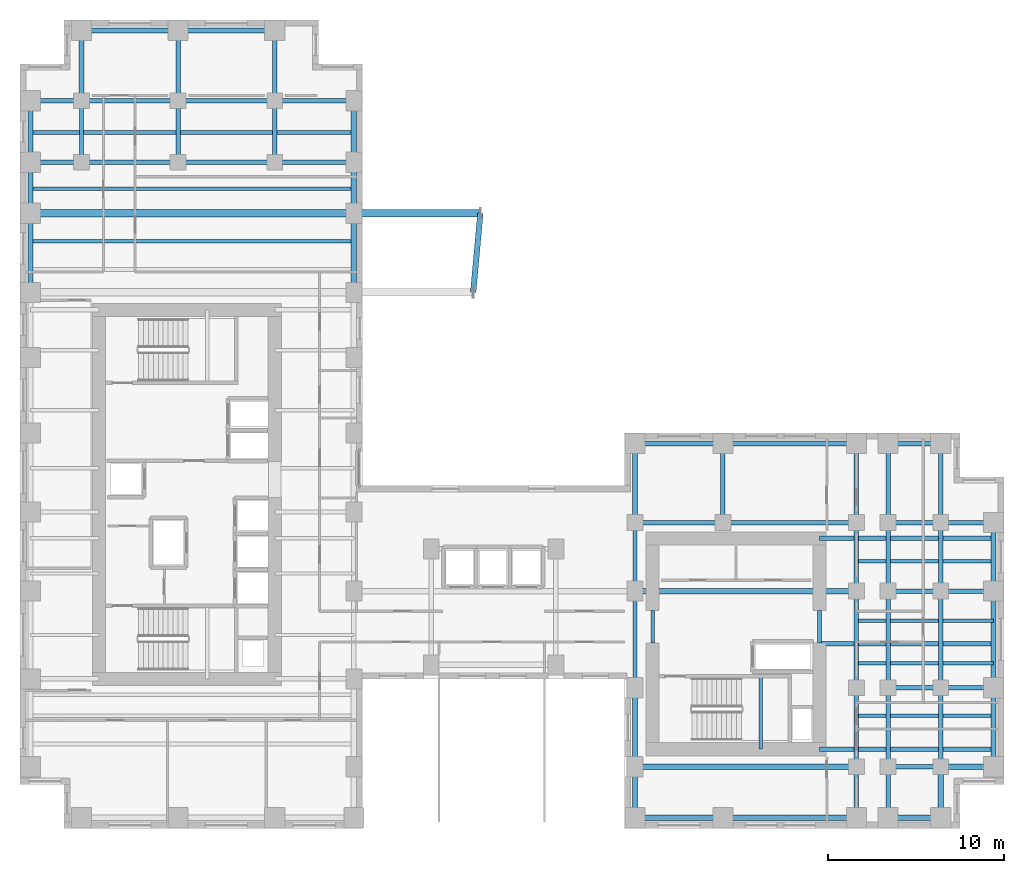
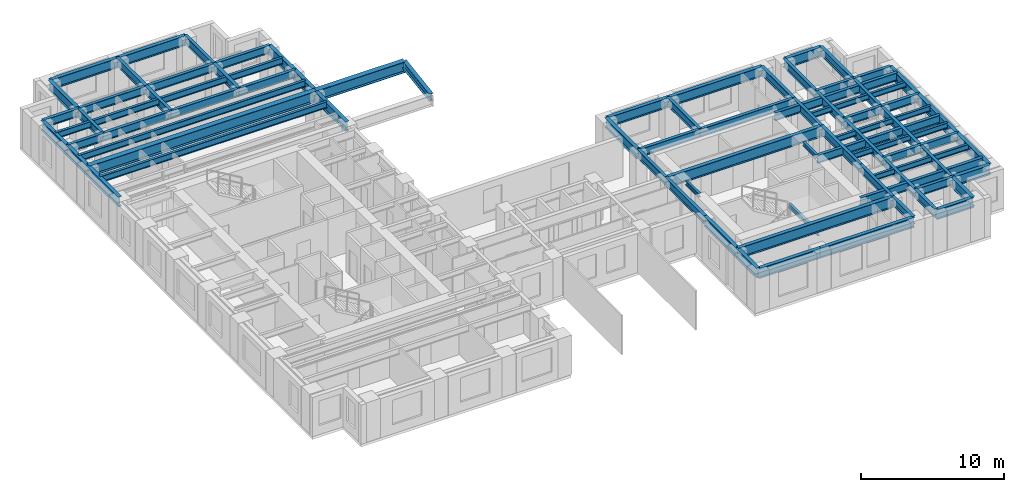
# One storey, part 3 of 13: 80 beams.
"""IFC4 building model written with IfcOpenShell, lengths in metres."""

from ifc_helpers import new_model, si_unit, direction, frame, origin, origin_2d, place, context, subcontext, project, spatial, i_section, extrude, source, transform, mapped, material, material_profile, profile_set, type_object, element, save


model = new_model("IFC4")

# Units and contexts
model_context = context("Model", 3, precision=1e-05, world=origin(), true_north=direction((0.0, 1.0)))
body_context = subcontext(model_context, "Body", "Model", "MODEL_VIEW")
ifc_project = project(units=[si_unit("LENGTHUNIT", "METRE"), si_unit("AREAUNIT", "SQUARE_METRE"), si_unit("VOLUMEUNIT", "CUBIC_METRE"), si_unit("PLANEANGLEUNIT", "RADIAN"), si_unit("MASSUNIT", "GRAM", prefix="KILO")], contexts=[model_context])

# Site, building, storey
site_placement = place(None, origin())
site = spatial("IfcSite", under=ifc_project, at=site_placement, CompositionType="ELEMENT")
building_placement = place(site_placement, origin())
building = spatial("IfcBuilding", under=site, at=building_placement, Name="Kharzan Plaza Tower", CompositionType="ELEMENT")
storey_placement = place(building_placement, frame((0.0, 0.0, 95.39990234375)))
storey = spatial("IfcBuildingStorey", under=building, at=storey_placement, Name="L25", CompositionType="ELEMENT", Elevation=95.39990234375)

# Beams
ifc_material = material(Name="Steel S355", Category="steel")
ifc_material_profile_1 = material_profile(ifc_material, i_section(OverallWidth=0.205078125, OverallDepth=0.35400390625, WebThickness=0.009521484375, FlangeThickness=0.016845703125, at=origin_2d()), Name="W360x79")
ifc_profile_set_1 = profile_set([ifc_material_profile_1], Name="Steel S355")
beam_type_1 = type_object("IfcBeamType", Name="BM-LNT360", PredefinedType="LINTEL", material=ifc_profile_set_1)
shared_shape_1 = source(origin(), body_context, "Body", "SweptSolid", [
    extrude(i_section(OverallWidth=0.205078125, OverallDepth=0.35400390625, WebThickness=0.009521484375, FlangeThickness=0.016845703125, at=origin_2d()), origin(), (0.0, 0.0, 1.0), 1.849853515625),
])
for number, where, z_axis, x_axis, name in (
    (1, (45.5, 10.550048828125, 3.203125), (0.0, 1.0, 0.0), (-1.0, 0.0, 0.0), "L25 CORE-B coupling lintel LN1-WE"),
    (2, (36.0, 10.550048828125, 3.203125), (0.0, 1.0, 0.0), (-1.0, 0.0, 0.0), "L25 CORE-B coupling lintel LN1-WW"),
):
    element("IfcBeam", number, at=place(storey_placement, frame(where, z_axis=z_axis, x_axis=x_axis)), inside=storey, type_object=beam_type_1, Name=name, PredefinedType="LINTEL", context=body_context, shape_type="MappedRepresentation", body=[
        mapped(shared_shape_1, transform((0.0, 0.0, 0.0), x_axis=(1.0, 0.0, 0.0), y_axis=(0.0, 1.0, 0.0), z_axis=(0.0, 0.0, 1.0))),
    ])
shared_shape_2 = source(origin(), body_context, "Body", "SweptSolid", [
    extrude(i_section(OverallWidth=0.205078125, OverallDepth=0.35400390625, WebThickness=0.009521484375, FlangeThickness=0.016845703125, at=origin_2d()), origin(), (0.0, 0.0, 1.0), 4.155029296875),
])
beam_1_placement = place(storey_placement, frame((42.14990234375, 4.5, 1.423095703125), z_axis=(0.0, 1.0, 0.0), x_axis=(-1.0, 0.0, 0.0)))
element("IfcBeam", 3, at=beam_1_placement, inside=storey, type_object=beam_type_1, Name="L25 Stair ST-3 Half-Landing Beam", PredefinedType="LINTEL", context=body_context, shape_type="MappedRepresentation", body=[
    mapped(shared_shape_2, transform((0.0, 0.0, 0.0), x_axis=(1.0, 0.0, 0.0), y_axis=(0.0, 1.0, 0.0), z_axis=(0.0, 0.0, 1.0))),
])
ifc_material_profile_2 = material_profile(ifc_material, i_section(OverallWidth=0.304931640625, OverallDepth=0.9189453125, WebThickness=0.017333984375, FlangeThickness=0.02783203125, at=origin_2d()), Name="W920x253")
ifc_profile_set_2 = profile_set([ifc_material_profile_2], Name="Steel S355")
beam_type_2 = type_object("IfcBeamType", Name="BM-FG920B", PredefinedType="BEAM", material=ifc_profile_set_2)
shared_shape_3 = source(origin(), body_context, "Body", "SweptSolid", [
    extrude(i_section(OverallWidth=0.304931640625, OverallDepth=0.9189453125, WebThickness=0.017333984375, FlangeThickness=0.02783203125, at=origin_2d()), origin(), (0.0, 0.0, 1.0), 12.60009765625),
])
for number, where, z_axis, x_axis, name in (
    (4, (35.0, 3.5, 2.920654296875), (1.0, 0.0, 0.0), (0.0, 1.0, 0.0), "L25 Primary Floor Girder"),
    (5, (35.0, 13.5, 2.920654296875), (1.0, 0.0, 0.0), (0.0, 1.0, 0.0), "L25 Primary Floor Girder"),
):
    element("IfcBeam", number, at=place(storey_placement, frame(where, z_axis=z_axis, x_axis=x_axis)), inside=storey, type_object=beam_type_2, Name=name, PredefinedType="BEAM", context=body_context, shape_type="MappedRepresentation", body=[
        mapped(shared_shape_3, transform((0.0, 0.0, 0.0), x_axis=(1.0, 0.0, 0.0), y_axis=(0.0, 1.0, 0.0), z_axis=(0.0, 0.0, 1.0))),
    ])
ifc_material_profile_3 = material_profile(ifc_material, i_section(OverallWidth=0.2099609375, OverallDepth=0.537109375, WebThickness=0.010986328125, FlangeThickness=0.017333984375, at=origin_2d()), Name="W530x101")
ifc_profile_set_3 = profile_set([ifc_material_profile_3], Name="Steel S355")
beam_type_3 = type_object("IfcBeamType", Name="BM-JST530B", PredefinedType="JOIST", material=ifc_profile_set_3)
shared_shape_4 = source(origin(), body_context, "Body", "SweptSolid", [
    extrude(i_section(OverallWidth=0.2099609375, OverallDepth=0.537109375, WebThickness=0.010986328125, FlangeThickness=0.017333984375, at=origin_2d()), origin(), (0.0, 0.0, 1.0), 18.39990234375),
])
for number, where, z_axis, x_axis, name in (
    (6, (0.60009765625, 33.39990234375, 3.111572265625), (1.0, 0.0, 0.0), (0.0, 1.0, 0.0), "L25 Wing A Composite Joist 05"),
    (7, (0.60009765625, 36.39990234375, 3.111572265625), (1.0, 0.0, 0.0), (0.0, 1.0, 0.0), "L25 Wing A Composite Joist 06"),
    (8, (0.60009765625, 39.60009765625, 3.111572265625), (1.0, 0.0, 0.0), (0.0, 1.0, 0.0), "L25 Wing A Composite Joist 07"),
):
    element("IfcBeam", number, at=place(storey_placement, frame(where, z_axis=z_axis, x_axis=x_axis)), inside=storey, type_object=beam_type_3, Name=name, PredefinedType="JOIST", context=body_context, shape_type="MappedRepresentation", body=[
        mapped(shared_shape_4, transform((0.0, 0.0, 0.0), x_axis=(1.0, 0.0, 0.0), y_axis=(0.0, 1.0, 0.0), z_axis=(0.0, 0.0, 1.0))),
    ])
ifc_material_profile_4 = material_profile(ifc_material, i_section(OverallWidth=0.41796875, OverallDepth=0.93701171875, WebThickness=0.019287109375, FlangeThickness=0.031982421875, at=origin_2d()), Name="W920x342")
ifc_profile_set_4 = profile_set([ifc_material_profile_4], Name="Steel S355")
beam_type_4 = type_object("IfcBeamType", Name="BM-ZTB920", PredefinedType="BEAM", material=ifc_profile_set_4)
shared_shape_5 = source(origin(), body_context, "Body", "SweptSolid", [
    extrude(i_section(OverallWidth=0.41796875, OverallDepth=0.93701171875, WebThickness=0.019287109375, FlangeThickness=0.031982421875, at=origin_2d()), origin(), (0.0, 0.0, 1.0), 18.39990234375),
])
beam_2_placement = place(storey_placement, frame((0.60009765625, 35.0, 2.91162109375), z_axis=(1.0, 0.0, 0.0), x_axis=(0.0, 1.0, 0.0)))
element("IfcBeam", 9, at=beam_2_placement, inside=storey, type_object=beam_type_4, Name="L25 Sky-Terrace Back-Span Girder ZTB1 (L26 G2)", PredefinedType="BEAM", context=body_context, shape_type="MappedRepresentation", body=[
    mapped(shared_shape_5, transform((0.0, 0.0, 0.0), x_axis=(1.0, 0.0, 0.0), y_axis=(0.0, 1.0, 0.0), z_axis=(0.0, 0.0, 1.0))),
])
ifc_material_profile_5 = material_profile(ifc_material, i_section(OverallWidth=0.41796875, OverallDepth=0.93701171875, WebThickness=0.019287109375, FlangeThickness=0.031982421875, at=origin_2d()), Name="W920x342")
ifc_profile_set_5 = profile_set([ifc_material_profile_5], Name="Steel S355")
beam_type_5 = type_object("IfcBeamType", Name="BM-ZTG920", PredefinedType="BEAM", material=ifc_profile_set_5)
shared_shape_6 = source(origin(), body_context, "Body", "SweptSolid", [
    extrude(i_section(OverallWidth=0.41796875, OverallDepth=0.93701171875, WebThickness=0.019287109375, FlangeThickness=0.031982421875, at=origin_2d()), origin(), (0.0, 0.0, 1.0), 7.199951171875),
])
beam_3_placement = place(storey_placement, frame((19.0, 35.0, 2.91162109375), z_axis=(1.0, 0.0, 0.0), x_axis=(0.0, 1.0, 0.0)))
element("IfcBeam", 10, at=beam_3_placement, inside=storey, type_object=beam_type_5, Name="L25 Sky-Terrace Cantilever Girder ZTG1 (L26 G2)", PredefinedType="BEAM", context=body_context, shape_type="MappedRepresentation", body=[
    mapped(shared_shape_6, transform((0.0, 0.0, 0.0), x_axis=(1.0, 0.0, 0.0), y_axis=(0.0, 1.0, 0.0), z_axis=(0.0, 0.0, 1.0))),
])
ifc_material_profile_6 = material_profile(ifc_material, i_section(OverallWidth=0.324951171875, OverallDepth=0.615966796875, WebThickness=0.013916015625, FlangeThickness=0.021484375, at=origin_2d()), Name="W610x174")
ifc_profile_set_6 = profile_set([ifc_material_profile_6], Name="Steel S355")
beam_type_6 = type_object("IfcBeamType", Name="BM-ZTT610", PredefinedType="BEAM", material=ifc_profile_set_6)
shared_shape_7 = source(origin(), body_context, "Body", "SweptSolid", [
    extrude(i_section(OverallWidth=0.324951171875, OverallDepth=0.615966796875, WebThickness=0.013916015625, FlangeThickness=0.021484375, at=origin_2d()), origin(), (0.0, 0.0, 1.0), 4.5185546875),
])
beam_4_placement = place(storey_placement, frame((25.7900390625, 30.5, 3.072021484375), z_axis=(0.09071599143, 0.995876804077, 0.0), x_axis=(-0.995876804077, 0.09071599143, 0.0)))
element("IfcBeam", 11, at=beam_4_placement, inside=storey, type_object=beam_type_6, Name="L25 Sky-Terrace Edge Trimmer Beam ZTT1 (L26)", PredefinedType="BEAM", context=body_context, shape_type="MappedRepresentation", body=[
    mapped(shared_shape_7, transform((0.0, 0.0, 0.0), x_axis=(1.0, 0.0, 0.0), y_axis=(0.0, 1.0, 0.0), z_axis=(0.0, 0.0, 1.0))),
])
ifc_material_profile_7 = material_profile(ifc_material, i_section(OverallWidth=0.25390625, OverallDepth=0.68798828125, WebThickness=0.01318359375, FlangeThickness=0.02099609375, at=origin_2d()), Name="W690x152")
ifc_profile_set_7 = profile_set([ifc_material_profile_7], Name="Steel S355")
beam_type_7 = type_object("IfcBeamType", Name="BM-FG690B", PredefinedType="BEAM", material=ifc_profile_set_7)
shared_shape_8 = source(origin(), body_context, "Body", "SweptSolid", [
    extrude(i_section(OverallWidth=0.25390625, OverallDepth=0.68798828125, WebThickness=0.01318359375, FlangeThickness=0.02099609375, at=origin_2d()), origin(), (0.0, 0.0, 1.0), 4.5),
])
for number, where, z_axis, x_axis, name in (
    (12, (40.0, 17.39990234375, 3.0361328125), (0.0, 1.0, 0.0), (-1.0, 0.0, 0.0), "L25 Interior Frame Girder"),
    (13, (47.60009765625, 3.5, 3.0361328125), (0.0, 1.0, 0.0), (-1.0, 0.0, 0.0), "L25 Interior Frame Girder"),
    (14, (47.60009765625, 17.39990234375, 3.0361328125), (0.0, 1.0, 0.0), (-1.0, 0.0, 0.0), "L25 Interior Frame Girder"),
    (15, (49.39990234375, 3.5, 3.0361328125), (0.0, 1.0, 0.0), (-1.0, 0.0, 0.0), "L25 Interior Frame Girder"),
    (16, (49.39990234375, 17.39990234375, 3.0361328125), (0.0, 1.0, 0.0), (-1.0, 0.0, 0.0), "L25 Interior Frame Girder"),
    (17, (52.39990234375, 3.5, 3.0361328125), (0.0, 1.0, 0.0), (-1.0, 0.0, 0.0), "L25 Interior Frame Girder"),
    (18, (52.39990234375, 17.39990234375, 3.0361328125), (0.0, 1.0, 0.0), (-1.0, 0.0, 0.0), "L25 Interior Frame Girder"),
    (19, (14.5, 37.89990234375, 3.0361328125), (1.0, 0.0, 0.0), (0.0, 1.0, 0.0), "L25 Primary Floor Girder"),
    (20, (14.5, 41.39990234375, 3.0361328125), (1.0, 0.0, 0.0), (0.0, 1.0, 0.0), "L25 Primary Floor Girder"),
):
    element("IfcBeam", number, at=place(storey_placement, frame(where, z_axis=z_axis, x_axis=x_axis)), inside=storey, type_object=beam_type_7, Name=name, PredefinedType="BEAM", context=body_context, shape_type="MappedRepresentation", body=[
        mapped(shared_shape_8, transform((0.0, 0.0, 0.0), x_axis=(1.0, 0.0, 0.0), y_axis=(0.0, 1.0, 0.0), z_axis=(0.0, 0.0, 1.0))),
    ])
shared_shape_9 = source(origin(), body_context, "Body", "SweptSolid", [
    extrude(i_section(OverallWidth=0.25390625, OverallDepth=0.68798828125, WebThickness=0.01318359375, FlangeThickness=0.02099609375, at=origin_2d()), origin(), (0.0, 0.0, 1.0), 3.89990234375),
])
for number, where, z_axis, x_axis, name in (
    (21, (35.0, 13.5, 3.0361328125), (0.0, 1.0, 0.0), (-1.0, 0.0, 0.0), "L25 Interior Frame Girder"),
    (22, (47.60009765625, 13.5, 3.0361328125), (0.0, 1.0, 0.0), (-1.0, 0.0, 0.0), "L25 Interior Frame Girder"),
    (23, (49.39990234375, 13.5, 3.0361328125), (0.0, 1.0, 0.0), (-1.0, 0.0, 0.0), "L25 Interior Frame Girder"),
    (24, (52.39990234375, 13.5, 3.0361328125), (0.0, 1.0, 0.0), (-1.0, 0.0, 0.0), "L25 Interior Frame Girder"),
):
    element("IfcBeam", number, at=place(storey_placement, frame(where, z_axis=z_axis, x_axis=x_axis)), inside=storey, type_object=beam_type_7, Name=name, PredefinedType="BEAM", context=body_context, shape_type="MappedRepresentation", body=[
        mapped(shared_shape_9, transform((0.0, 0.0, 0.0), x_axis=(1.0, 0.0, 0.0), y_axis=(0.0, 1.0, 0.0), z_axis=(0.0, 0.0, 1.0))),
    ])
shared_shape_10 = source(origin(), body_context, "Body", "SweptSolid", [
    extrude(i_section(OverallWidth=0.25390625, OverallDepth=0.68798828125, WebThickness=0.01318359375, FlangeThickness=0.02099609375, at=origin_2d()), origin(), (0.0, 0.0, 1.0), 9.89990234375),
])
for number, where, z_axis, x_axis, name in (
    (25, (45.5, 4.5, 3.0361328125), (1.0, 0.0, 0.0), (0.0, 1.0, 0.0), "L25 Core-B East Floor Girder 1"),
    (26, (45.5, 10.5, 3.0361328125), (1.0, 0.0, 0.0), (0.0, 1.0, 0.0), "L25 Core-B East Floor Girder 2"),
    (27, (45.5, 16.5, 3.0361328125), (1.0, 0.0, 0.0), (0.0, 1.0, 0.0), "L25 Core-B East Floor Girder 3"),
):
    element("IfcBeam", number, at=place(storey_placement, frame(where, z_axis=z_axis, x_axis=x_axis)), inside=storey, type_object=beam_type_7, Name=name, PredefinedType="BEAM", context=body_context, shape_type="MappedRepresentation", body=[
        mapped(shared_shape_10, transform((0.0, 0.0, 0.0), x_axis=(1.0, 0.0, 0.0), y_axis=(0.0, 1.0, 0.0), z_axis=(0.0, 0.0, 1.0))),
    ])
shared_shape_11 = source(origin(), body_context, "Body", "SweptSolid", [
    extrude(i_section(OverallWidth=0.25390625, OverallDepth=0.68798828125, WebThickness=0.01318359375, FlangeThickness=0.02099609375, at=origin_2d()), origin(), (0.0, 0.0, 1.0), 3.5),
])
for number, where, z_axis, x_axis, name in (
    (28, (3.5, 37.89990234375, 3.0361328125), (0.0, 1.0, 0.0), (-1.0, 0.0, 0.0), "L25 Interior Frame Girder"),
    (29, (9.0, 37.89990234375, 3.0361328125), (0.0, 1.0, 0.0), (-1.0, 0.0, 0.0), "L25 Interior Frame Girder"),
    (30, (14.5, 37.89990234375, 3.0361328125), (0.0, 1.0, 0.0), (-1.0, 0.0, 0.0), "L25 Interior Frame Girder"),
):
    element("IfcBeam", number, at=place(storey_placement, frame(where, z_axis=z_axis, x_axis=x_axis)), inside=storey, type_object=beam_type_7, Name=name, PredefinedType="BEAM", context=body_context, shape_type="MappedRepresentation", body=[
        mapped(shared_shape_11, transform((0.0, 0.0, 0.0), x_axis=(1.0, 0.0, 0.0), y_axis=(0.0, 1.0, 0.0), z_axis=(0.0, 0.0, 1.0))),
    ])
shared_shape_12 = source(origin(), body_context, "Body", "SweptSolid", [
    extrude(i_section(OverallWidth=0.25390625, OverallDepth=0.68798828125, WebThickness=0.01318359375, FlangeThickness=0.02099609375, at=origin_2d()), origin(), (0.0, 0.0, 1.0), 4.0),
])
for number, where, z_axis, x_axis, name in (
    (31, (9.0, 41.39990234375, 3.0361328125), (0.0, 1.0, 0.0), (-1.0, 0.0, 0.0), "L25 Interior Frame Girder"),
    (32, (14.5, 41.39990234375, 3.0361328125), (0.0, 1.0, 0.0), (-1.0, 0.0, 0.0), "L25 Interior Frame Girder"),
):
    element("IfcBeam", number, at=place(storey_placement, frame(where, z_axis=z_axis, x_axis=x_axis)), inside=storey, type_object=beam_type_7, Name=name, PredefinedType="BEAM", context=body_context, shape_type="MappedRepresentation", body=[
        mapped(shared_shape_12, transform((0.0, 0.0, 0.0), x_axis=(1.0, 0.0, 0.0), y_axis=(0.0, 1.0, 0.0), z_axis=(0.0, 0.0, 1.0))),
    ])
shared_shape_13 = source(origin(), body_context, "Body", "SweptSolid", [
    extrude(i_section(OverallWidth=0.25390625, OverallDepth=0.68798828125, WebThickness=0.01318359375, FlangeThickness=0.02099609375, at=origin_2d()), origin(), (0.0, 0.0, 1.0), 5.0),
])
beam_5_placement = place(storey_placement, frame((35.0, 17.39990234375, 3.0361328125), z_axis=(1.0, 0.0, 0.0), x_axis=(0.0, 1.0, 0.0)))
element("IfcBeam", 33, at=beam_5_placement, inside=storey, type_object=beam_type_7, Name="L25 Primary Floor Girder", PredefinedType="BEAM", context=body_context, shape_type="MappedRepresentation", body=[
    mapped(shared_shape_13, transform((0.0, 0.0, 0.0), x_axis=(1.0, 0.0, 0.0), y_axis=(0.0, 1.0, 0.0), z_axis=(0.0, 0.0, 1.0))),
])
shared_shape_14 = source(origin(), body_context, "Body", "SweptSolid", [
    extrude(i_section(OverallWidth=0.25390625, OverallDepth=0.68798828125, WebThickness=0.01318359375, FlangeThickness=0.02099609375, at=origin_2d()), origin(), (0.0, 0.0, 1.0), 5.5),
])
for number, where, z_axis, x_axis, name in (
    (34, (35.0, 8.0, 3.0361328125), (0.0, 1.0, 0.0), (-1.0, 0.0, 0.0), "L25 Interior Frame Girder"),
    (35, (47.60009765625, 8.0, 3.0361328125), (0.0, 1.0, 0.0), (-1.0, 0.0, 0.0), "L25 Interior Frame Girder"),
    (36, (49.39990234375, 8.0, 3.0361328125), (0.0, 1.0, 0.0), (-1.0, 0.0, 0.0), "L25 Interior Frame Girder"),
    (37, (52.39990234375, 8.0, 3.0361328125), (0.0, 1.0, 0.0), (-1.0, 0.0, 0.0), "L25 Interior Frame Girder"),
    (38, (3.5, 37.89990234375, 3.0361328125), (1.0, 0.0, 0.0), (0.0, 1.0, 0.0), "L25 Primary Floor Girder"),
    (39, (9.0, 37.89990234375, 3.0361328125), (1.0, 0.0, 0.0), (0.0, 1.0, 0.0), "L25 Primary Floor Girder"),
    (40, (3.5, 41.39990234375, 3.0361328125), (1.0, 0.0, 0.0), (0.0, 1.0, 0.0), "L25 Primary Floor Girder"),
    (41, (9.0, 41.39990234375, 3.0361328125), (1.0, 0.0, 0.0), (0.0, 1.0, 0.0), "L25 Primary Floor Girder"),
):
    element("IfcBeam", number, at=place(storey_placement, frame(where, z_axis=z_axis, x_axis=x_axis)), inside=storey, type_object=beam_type_7, Name=name, PredefinedType="BEAM", context=body_context, shape_type="MappedRepresentation", body=[
        mapped(shared_shape_14, transform((0.0, 0.0, 0.0), x_axis=(1.0, 0.0, 0.0), y_axis=(0.0, 1.0, 0.0), z_axis=(0.0, 0.0, 1.0))),
    ])
shared_shape_15 = source(origin(), body_context, "Body", "SweptSolid", [
    extrude(i_section(OverallWidth=0.25390625, OverallDepth=0.68798828125, WebThickness=0.01318359375, FlangeThickness=0.02099609375, at=origin_2d()), origin(), (0.0, 0.0, 1.0), 2.89990234375),
])
for number, where, z_axis, x_axis, name in (
    (42, (47.60009765625, 0.60009765625, 3.0361328125), (0.0, 1.0, 0.0), (-1.0, 0.0, 0.0), "L25 Interior Frame Girder"),
    (43, (49.39990234375, 0.60009765625, 3.0361328125), (0.0, 1.0, 0.0), (-1.0, 0.0, 0.0), "L25 Interior Frame Girder"),
    (44, (0.60009765625, 37.89990234375, 3.0361328125), (1.0, 0.0, 0.0), (0.0, 1.0, 0.0), "L25 Primary Floor Girder"),
    (45, (0.60009765625, 41.39990234375, 3.0361328125), (1.0, 0.0, 0.0), (0.0, 1.0, 0.0), "L25 Primary Floor Girder"),
):
    element("IfcBeam", number, at=place(storey_placement, frame(where, z_axis=z_axis, x_axis=x_axis)), inside=storey, type_object=beam_type_7, Name=name, PredefinedType="BEAM", context=body_context, shape_type="MappedRepresentation", body=[
        mapped(shared_shape_15, transform((0.0, 0.0, 0.0), x_axis=(1.0, 0.0, 0.0), y_axis=(0.0, 1.0, 0.0), z_axis=(0.0, 0.0, 1.0))),
    ])
shared_shape_16 = source(origin(), body_context, "Body", "SweptSolid", [
    extrude(i_section(OverallWidth=0.25390625, OverallDepth=0.68798828125, WebThickness=0.01318359375, FlangeThickness=0.02099609375, at=origin_2d()), origin(), (0.0, 0.0, 1.0), 3.0),
])
for number, where, z_axis, x_axis, name in (
    (46, (49.39990234375, 3.5, 3.0361328125), (1.0, 0.0, 0.0), (0.0, 1.0, 0.0), "L25 Primary Floor Girder"),
    (47, (49.39990234375, 8.0, 3.0361328125), (1.0, 0.0, 0.0), (0.0, 1.0, 0.0), "L25 Primary Floor Girder"),
    (48, (52.39990234375, 8.0, 3.0361328125), (1.0, 0.0, 0.0), (0.0, 1.0, 0.0), "L25 Primary Floor Girder"),
    (49, (49.39990234375, 13.5, 3.0361328125), (1.0, 0.0, 0.0), (0.0, 1.0, 0.0), "L25 Primary Floor Girder"),
    (50, (52.39990234375, 13.5, 3.0361328125), (1.0, 0.0, 0.0), (0.0, 1.0, 0.0), "L25 Primary Floor Girder"),
    (51, (49.39990234375, 17.39990234375, 3.0361328125), (1.0, 0.0, 0.0), (0.0, 1.0, 0.0), "L25 Primary Floor Girder"),
    (52, (52.39990234375, 17.39990234375, 3.0361328125), (1.0, 0.0, 0.0), (0.0, 1.0, 0.0), "L25 Primary Floor Girder"),
):
    element("IfcBeam", number, at=place(storey_placement, frame(where, z_axis=z_axis, x_axis=x_axis)), inside=storey, type_object=beam_type_7, Name=name, PredefinedType="BEAM", context=body_context, shape_type="MappedRepresentation", body=[
        mapped(shared_shape_16, transform((0.0, 0.0, 0.0), x_axis=(1.0, 0.0, 0.0), y_axis=(0.0, 1.0, 0.0), z_axis=(0.0, 0.0, 1.0))),
    ])
shared_shape_17 = source(origin(), body_context, "Body", "SweptSolid", [
    extrude(i_section(OverallWidth=0.25390625, OverallDepth=0.68798828125, WebThickness=0.01318359375, FlangeThickness=0.02099609375, at=origin_2d()), origin(), (0.0, 0.0, 1.0), 7.60009765625),
])
beam_6_placement = place(storey_placement, frame((40.0, 17.39990234375, 3.0361328125), z_axis=(1.0, 0.0, 0.0), x_axis=(0.0, 1.0, 0.0)))
element("IfcBeam", 53, at=beam_6_placement, inside=storey, type_object=beam_type_7, Name="L25 Primary Floor Girder", PredefinedType="BEAM", context=body_context, shape_type="MappedRepresentation", body=[
    mapped(shared_shape_17, transform((0.0, 0.0, 0.0), x_axis=(1.0, 0.0, 0.0), y_axis=(0.0, 1.0, 0.0), z_axis=(0.0, 0.0, 1.0))),
])
ifc_material_profile_8 = material_profile(ifc_material, i_section(OverallWidth=0.194091796875, OverallDepth=0.468994140625, WebThickness=0.011474609375, FlangeThickness=0.0205078125, at=origin_2d()), Name="W460x106")
ifc_profile_set_8 = profile_set([ifc_material_profile_8], Name="Steel S355")
beam_type_8 = type_object("IfcBeamType", Name="BM-JST460", PredefinedType="JOIST", material=ifc_profile_set_8)
shared_shape_18 = source(origin(), body_context, "Body", "SweptSolid", [
    extrude(i_section(OverallWidth=0.194091796875, OverallDepth=0.468994140625, WebThickness=0.011474609375, FlangeThickness=0.0205078125, at=origin_2d()), origin(), (0.0, 0.0, 1.0), 7.7998046875),
])
for number, where, z_axis, x_axis, name in (
    (54, (47.60009765625, 6.39990234375, 3.1455078125), (1.0, 0.0, 0.0), (0.0, 1.0, 0.0), "L25 Wing B Composite Joist 02"),
    (55, (47.60009765625, 9.39990234375, 3.1455078125), (1.0, 0.0, 0.0), (0.0, 1.0, 0.0), "L25 Wing B Composite Joist 03"),
    (56, (47.60009765625, 11.800048828125, 3.1455078125), (1.0, 0.0, 0.0), (0.0, 1.0, 0.0), "L25 Wing B Composite Joist 04"),
    (57, (47.60009765625, 15.199951171875, 3.1455078125), (1.0, 0.0, 0.0), (0.0, 1.0, 0.0), "L25 Wing B Composite Joist 05"),
):
    element("IfcBeam", number, at=place(storey_placement, frame(where, z_axis=z_axis, x_axis=x_axis)), inside=storey, type_object=beam_type_8, Name=name, PredefinedType="JOIST", context=body_context, shape_type="MappedRepresentation", body=[
        mapped(shared_shape_18, transform((0.0, 0.0, 0.0), x_axis=(1.0, 0.0, 0.0), y_axis=(0.0, 1.0, 0.0), z_axis=(0.0, 0.0, 1.0))),
    ])
ifc_material_profile_9 = material_profile(ifc_material, i_section(OverallWidth=0.299072265625, OverallDepth=0.845947265625, WebThickness=0.015380859375, FlangeThickness=0.0244140625, at=origin_2d()), Name="W840x210")
ifc_profile_set_9 = profile_set([ifc_material_profile_9], Name="Steel S355")
beam_type_9 = type_object("IfcBeamType", Name="BM-SP840B", PredefinedType="SPANDREL", material=ifc_profile_set_9)
shared_shape_19 = source(origin(), body_context, "Body", "SweptSolid", [
    extrude(i_section(OverallWidth=0.299072265625, OverallDepth=0.845947265625, WebThickness=0.015380859375, FlangeThickness=0.0244140625, at=origin_2d()), origin(), (0.0, 0.0, 1.0), 5.0),
])
for number, where, z_axis, x_axis, name in (
    (58, (35.0, 0.60009765625, 2.95703125), (1.0, 0.0, 0.0), (0.0, 1.0, 0.0), "L25 Perimeter Tube Spandrel"),
    (59, (35.0, 21.89990234375, 2.95703125), (1.0, 0.0, 0.0), (0.0, 1.0, 0.0), "L25 Perimeter Tube Spandrel"),
):
    element("IfcBeam", number, at=place(storey_placement, frame(where, z_axis=z_axis, x_axis=x_axis)), inside=storey, type_object=beam_type_9, Name=name, PredefinedType="SPANDREL", context=body_context, shape_type="MappedRepresentation", body=[
        mapped(shared_shape_19, transform((0.0, 0.0, 0.0), x_axis=(1.0, 0.0, 0.0), y_axis=(0.0, 1.0, 0.0), z_axis=(0.0, 0.0, 1.0))),
    ])
shared_shape_20 = source(origin(), body_context, "Body", "SweptSolid", [
    extrude(i_section(OverallWidth=0.299072265625, OverallDepth=0.845947265625, WebThickness=0.015380859375, FlangeThickness=0.0244140625, at=origin_2d()), origin(), (0.0, 0.0, 1.0), 4.5),
])
for number, where, z_axis, x_axis, name in (
    (60, (0.60009765625, 30.5, 2.95703125), (0.0, 1.0, 0.0), (-1.0, 0.0, 0.0), "L25 Perimeter Tube Spandrel"),
    (61, (19.0, 30.5, 2.95703125), (0.0, 1.0, 0.0), (-1.0, 0.0, 0.0), "L25 Perimeter Tube Spandrel"),
    (62, (35.0, 3.5, 2.95703125), (0.0, 1.0, 0.0), (-1.0, 0.0, 0.0), "L25 Perimeter Tube Spandrel"),
    (63, (35.0, 17.39990234375, 2.95703125), (0.0, 1.0, 0.0), (-1.0, 0.0, 0.0), "L25 Perimeter Tube Spandrel"),
    (64, (55.39990234375, 3.5, 2.95703125), (0.0, 1.0, 0.0), (-1.0, 0.0, 0.0), "L25 Perimeter Tube Spandrel"),
):
    element("IfcBeam", number, at=place(storey_placement, frame(where, z_axis=z_axis, x_axis=x_axis)), inside=storey, type_object=beam_type_9, Name=name, PredefinedType="SPANDREL", context=body_context, shape_type="MappedRepresentation", body=[
        mapped(shared_shape_20, transform((0.0, 0.0, 0.0), x_axis=(1.0, 0.0, 0.0), y_axis=(0.0, 1.0, 0.0), z_axis=(0.0, 0.0, 1.0))),
    ])
shared_shape_21 = source(origin(), body_context, "Body", "SweptSolid", [
    extrude(i_section(OverallWidth=0.299072265625, OverallDepth=0.845947265625, WebThickness=0.015380859375, FlangeThickness=0.0244140625, at=origin_2d()), origin(), (0.0, 0.0, 1.0), 2.89990234375),
])
for number, where, z_axis, x_axis, name in (
    (65, (0.60009765625, 35.0, 2.95703125), (0.0, 1.0, 0.0), (-1.0, 0.0, 0.0), "L25 Perimeter Tube Spandrel"),
    (66, (19.0, 35.0, 2.95703125), (0.0, 1.0, 0.0), (-1.0, 0.0, 0.0), "L25 Perimeter Tube Spandrel"),
    (67, (35.0, 0.60009765625, 2.95703125), (0.0, 1.0, 0.0), (-1.0, 0.0, 0.0), "L25 Perimeter Tube Spandrel"),
    (68, (52.39990234375, 0.60009765625, 2.95703125), (0.0, 1.0, 0.0), (-1.0, 0.0, 0.0), "L25 Perimeter Tube Spandrel"),
):
    element("IfcBeam", number, at=place(storey_placement, frame(where, z_axis=z_axis, x_axis=x_axis)), inside=storey, type_object=beam_type_9, Name=name, PredefinedType="SPANDREL", context=body_context, shape_type="MappedRepresentation", body=[
        mapped(shared_shape_21, transform((0.0, 0.0, 0.0), x_axis=(1.0, 0.0, 0.0), y_axis=(0.0, 1.0, 0.0), z_axis=(0.0, 0.0, 1.0))),
    ])
shared_shape_22 = source(origin(), body_context, "Body", "SweptSolid", [
    extrude(i_section(OverallWidth=0.299072265625, OverallDepth=0.845947265625, WebThickness=0.015380859375, FlangeThickness=0.0244140625, at=origin_2d()), origin(), (0.0, 0.0, 1.0), 3.5),
])
for number, where, z_axis, x_axis, name in (
    (69, (0.60009765625, 37.89990234375, 2.95703125), (0.0, 1.0, 0.0), (-1.0, 0.0, 0.0), "L25 Perimeter Tube Spandrel"),
    (70, (19.0, 37.89990234375, 2.95703125), (0.0, 1.0, 0.0), (-1.0, 0.0, 0.0), "L25 Perimeter Tube Spandrel"),
):
    element("IfcBeam", number, at=place(storey_placement, frame(where, z_axis=z_axis, x_axis=x_axis)), inside=storey, type_object=beam_type_9, Name=name, PredefinedType="SPANDREL", context=body_context, shape_type="MappedRepresentation", body=[
        mapped(shared_shape_22, transform((0.0, 0.0, 0.0), x_axis=(1.0, 0.0, 0.0), y_axis=(0.0, 1.0, 0.0), z_axis=(0.0, 0.0, 1.0))),
    ])
shared_shape_23 = source(origin(), body_context, "Body", "SweptSolid", [
    extrude(i_section(OverallWidth=0.299072265625, OverallDepth=0.845947265625, WebThickness=0.015380859375, FlangeThickness=0.0244140625, at=origin_2d()), origin(), (0.0, 0.0, 1.0), 4.0),
])
beam_7_placement = place(storey_placement, frame((3.5, 41.39990234375, 2.95703125), z_axis=(0.0, 1.0, 0.0), x_axis=(-1.0, 0.0, 0.0)))
element("IfcBeam", 71, at=beam_7_placement, inside=storey, type_object=beam_type_9, Name="L25 Perimeter Tube Spandrel", PredefinedType="SPANDREL", context=body_context, shape_type="MappedRepresentation", body=[
    mapped(shared_shape_23, transform((0.0, 0.0, 0.0), x_axis=(1.0, 0.0, 0.0), y_axis=(0.0, 1.0, 0.0), z_axis=(0.0, 0.0, 1.0))),
])
shared_shape_24 = source(origin(), body_context, "Body", "SweptSolid", [
    extrude(i_section(OverallWidth=0.299072265625, OverallDepth=0.845947265625, WebThickness=0.015380859375, FlangeThickness=0.0244140625, at=origin_2d()), origin(), (0.0, 0.0, 1.0), 5.5),
])
for number, where, z_axis, x_axis, name in (
    (72, (55.39990234375, 8.0, 2.95703125), (0.0, 1.0, 0.0), (-1.0, 0.0, 0.0), "L25 Perimeter Tube Spandrel"),
    (73, (3.5, 45.39990234375, 2.95703125), (1.0, 0.0, 0.0), (0.0, 1.0, 0.0), "L25 Perimeter Tube Spandrel"),
    (74, (9.0, 45.39990234375, 2.95703125), (1.0, 0.0, 0.0), (0.0, 1.0, 0.0), "L25 Perimeter Tube Spandrel"),
):
    element("IfcBeam", number, at=place(storey_placement, frame(where, z_axis=z_axis, x_axis=x_axis)), inside=storey, type_object=beam_type_9, Name=name, PredefinedType="SPANDREL", context=body_context, shape_type="MappedRepresentation", body=[
        mapped(shared_shape_24, transform((0.0, 0.0, 0.0), x_axis=(1.0, 0.0, 0.0), y_axis=(0.0, 1.0, 0.0), z_axis=(0.0, 0.0, 1.0))),
    ])
shared_shape_25 = source(origin(), body_context, "Body", "SweptSolid", [
    extrude(i_section(OverallWidth=0.299072265625, OverallDepth=0.845947265625, WebThickness=0.015380859375, FlangeThickness=0.0244140625, at=origin_2d()), origin(), (0.0, 0.0, 1.0), 3.89990234375),
])
beam_8_placement = place(storey_placement, frame((55.39990234375, 13.5, 2.95703125), z_axis=(0.0, 1.0, 0.0), x_axis=(-1.0, 0.0, 0.0)))
element("IfcBeam", 75, at=beam_8_placement, inside=storey, type_object=beam_type_9, Name="L25 Perimeter Tube Spandrel", PredefinedType="SPANDREL", context=body_context, shape_type="MappedRepresentation", body=[
    mapped(shared_shape_25, transform((0.0, 0.0, 0.0), x_axis=(1.0, 0.0, 0.0), y_axis=(0.0, 1.0, 0.0), z_axis=(0.0, 0.0, 1.0))),
])
shared_shape_26 = source(origin(), body_context, "Body", "SweptSolid", [
    extrude(i_section(OverallWidth=0.299072265625, OverallDepth=0.845947265625, WebThickness=0.015380859375, FlangeThickness=0.0244140625, at=origin_2d()), origin(), (0.0, 0.0, 1.0), 7.60009765625),
])
for number, where, z_axis, x_axis, name in (
    (76, (40.0, 0.60009765625, 2.95703125), (1.0, 0.0, 0.0), (0.0, 1.0, 0.0), "L25 Perimeter Tube Spandrel"),
    (77, (40.0, 21.89990234375, 2.95703125), (1.0, 0.0, 0.0), (0.0, 1.0, 0.0), "L25 Perimeter Tube Spandrel"),
):
    element("IfcBeam", number, at=place(storey_placement, frame(where, z_axis=z_axis, x_axis=x_axis)), inside=storey, type_object=beam_type_9, Name=name, PredefinedType="SPANDREL", context=body_context, shape_type="MappedRepresentation", body=[
        mapped(shared_shape_26, transform((0.0, 0.0, 0.0), x_axis=(1.0, 0.0, 0.0), y_axis=(0.0, 1.0, 0.0), z_axis=(0.0, 0.0, 1.0))),
    ])
shared_shape_27 = source(origin(), body_context, "Body", "SweptSolid", [
    extrude(i_section(OverallWidth=0.299072265625, OverallDepth=0.845947265625, WebThickness=0.015380859375, FlangeThickness=0.0244140625, at=origin_2d()), origin(), (0.0, 0.0, 1.0), 3.0),
])
for number, where, z_axis, x_axis, name in (
    (78, (49.39990234375, 0.60009765625, 2.95703125), (1.0, 0.0, 0.0), (0.0, 1.0, 0.0), "L25 Perimeter Tube Spandrel"),
    (79, (52.39990234375, 3.5, 2.95703125), (1.0, 0.0, 0.0), (0.0, 1.0, 0.0), "L25 Perimeter Tube Spandrel"),
    (80, (49.39990234375, 21.89990234375, 2.95703125), (1.0, 0.0, 0.0), (0.0, 1.0, 0.0), "L25 Perimeter Tube Spandrel"),
):
    element("IfcBeam", number, at=place(storey_placement, frame(where, z_axis=z_axis, x_axis=x_axis)), inside=storey, type_object=beam_type_9, Name=name, PredefinedType="SPANDREL", context=body_context, shape_type="MappedRepresentation", body=[
        mapped(shared_shape_27, transform((0.0, 0.0, 0.0), x_axis=(1.0, 0.0, 0.0), y_axis=(0.0, 1.0, 0.0), z_axis=(0.0, 0.0, 1.0))),
    ])

save(model, "model.ifc")
